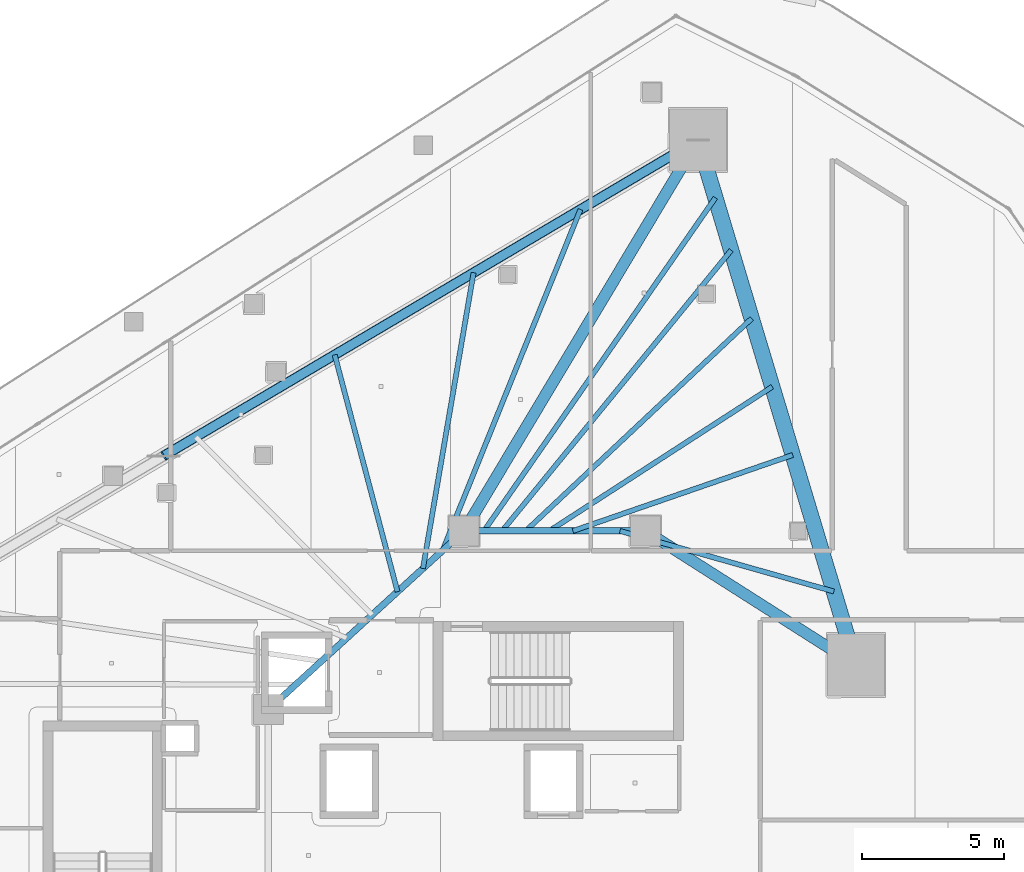
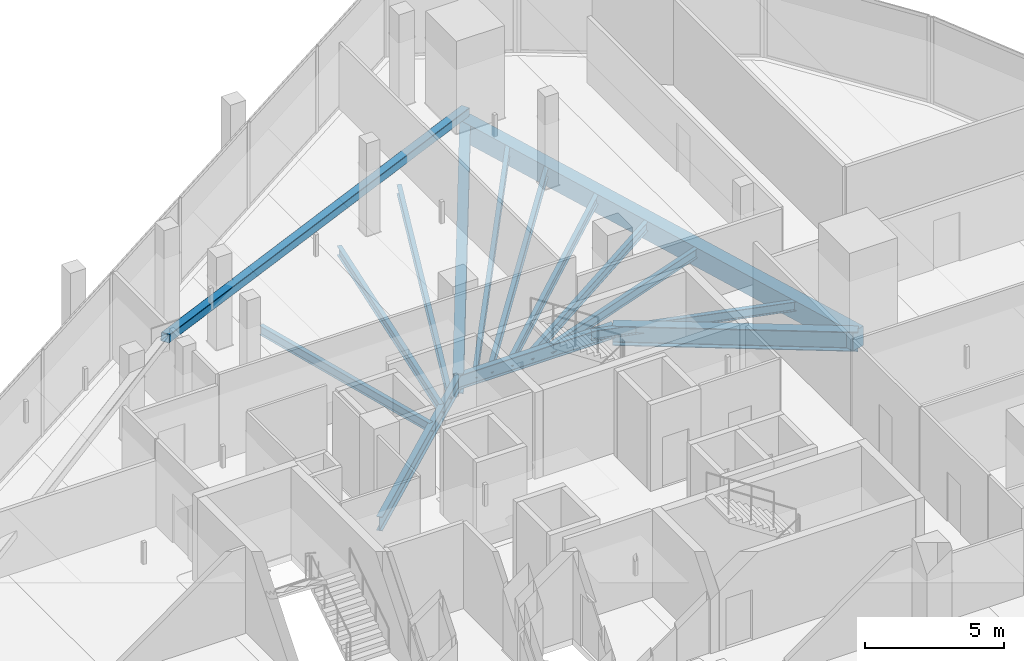
# One storey, part 23 of 43: 14 beams, 1 member.
"""IFC4 building model written with IfcOpenShell, lengths in metres."""

from ifc_helpers import new_model, si_unit, direction, frame, origin, origin_2d, place, context, subcontext, project, spatial, rectangle, hollow_rectangle, i_section, extrude, material, material_profile, profile_set, type_object, element, save


model = new_model("IFC4")

# Units and contexts
model_context = context("Model", 3, precision=1e-05, world=origin(), true_north=direction((0.0, 1.0)))
body_context = subcontext(model_context, "Body", "Model", "MODEL_VIEW")
ifc_project = project(units=[si_unit("LENGTHUNIT", "METRE"), si_unit("AREAUNIT", "SQUARE_METRE"), si_unit("VOLUMEUNIT", "CUBIC_METRE"), si_unit("PLANEANGLEUNIT", "RADIAN"), si_unit("MASSUNIT", "GRAM", prefix="KILO")], contexts=[model_context])

# Site, building, storey
site_placement = place(None, origin())
site = spatial("IfcSite", under=ifc_project, at=site_placement, CompositionType="ELEMENT")
building_placement = place(site_placement, origin())
building = spatial("IfcBuilding", under=site, at=building_placement, Name="Qorvath Tower", CompositionType="ELEMENT")
storey_placement = place(building_placement, frame((0.0, 0.0, 150.300048828125)))
storey = spatial("IfcBuildingStorey", under=building, at=storey_placement, Name="L34", CompositionType="ELEMENT", Elevation=150.300048828125)

# Beams
ifc_material_1 = material(Name="Steel ASTM A992 Grade 50", Category="steel")
ifc_material_profile_1 = material_profile(ifc_material_1, i_section(OverallWidth=0.39892578125, OverallDepth=0.85498046875, WebThickness=0.018310546875, FlangeThickness=0.029296875, FilletRadius=0.02001953125, at=origin_2d()), Name="W33x201")
ifc_profile_set_1 = profile_set([ifc_material_profile_1], Name="Steel ASTM A992 Grade 50")
beam_type_1 = type_object("IfcBeamType", Name="BM-FG2", PredefinedType="BEAM", material=ifc_profile_set_1)
beam_1_placement = place(storey_placement, frame((-23.60009765625, 11.449951171875, -0.697509765625), z_axis=(0.513497213955, 0.85809126045, 0.0), x_axis=(-0.85809126045, 0.513497213955, 0.0)))
element("IfcBeam", 1, at=beam_1_placement, inside=storey, type_object=beam_type_1, Name="Radial Floor Girder CC1-MC6 L34", PredefinedType="BEAM", context=body_context, shape_type="SweptSolid", body=[
    extrude(i_section(OverallWidth=0.39892578125, OverallDepth=0.85498046875, WebThickness=0.018310546875, FlangeThickness=0.029296875, FilletRadius=0.02001953125, at=origin_2d()), origin(), (0.0, 0.0, 1.0), 16.07763671875),
])
beam_2_placement = place(storey_placement, frame((-17.199951171875, 11.449951171875, -0.697509765625), z_axis=(0.843634090834, -0.536918542037, 0.0), x_axis=(0.536918542037, 0.843634090834, 0.0)))
element("IfcBeam", 2, at=beam_2_placement, inside=storey, type_object=beam_type_1, Name="Radial Floor Girder CC2-MC5 L34", PredefinedType="BEAM", context=body_context, shape_type="SweptSolid", body=[
    extrude(i_section(OverallWidth=0.39892578125, OverallDepth=0.85498046875, WebThickness=0.018310546875, FlangeThickness=0.029296875, FilletRadius=0.02001953125, at=origin_2d()), origin(), (0.0, 0.0, 1.0), 8.806884765625),
])
ifc_material_2 = material(Name="Steel ASTM A992 Grade 50", Category="steel")
ifc_material_profile_2 = material_profile(ifc_material_2, i_section(OverallWidth=0.22998046875, OverallDepth=0.616943359375, WebThickness=0.01318359375, FlangeThickness=0.022216796875, FilletRadius=0.014892578125, at=origin_2d()), Name="W24x94")
ifc_profile_set_2 = profile_set([ifc_material_profile_2], Name="Steel ASTM A992 Grade 50")
beam_type_2 = type_object("IfcBeamType", Name="BM-FG6", PredefinedType="BEAM", material=ifc_profile_set_2)
beam_3_placement = place(storey_placement, frame((-23.60009765625, 11.449951171875, -0.57861328125), z_axis=(1.0, 0.0, 0.0), x_axis=(0.0, 1.0, 0.0)))
element("IfcBeam", 3, at=beam_3_placement, inside=storey, type_object=beam_type_2, Name="Core Ring Girder CC1-CC2 L34", PredefinedType="BEAM", context=body_context, shape_type="SweptSolid", body=[
    extrude(i_section(OverallWidth=0.22998046875, OverallDepth=0.616943359375, WebThickness=0.01318359375, FlangeThickness=0.022216796875, FilletRadius=0.014892578125, at=origin_2d()), origin(), (0.0, 0.0, 1.0), 6.400146484375),
])
beam_4_placement = place(storey_placement, frame((-30.5, 5.14990234375, -0.57861328125), z_axis=(0.73847813985, 0.6742774184, 0.0), x_axis=(-0.6742774184, 0.73847813985, 0.0)))
element("IfcBeam", 4, at=beam_4_placement, inside=storey, type_object=beam_type_2, Name="Core Ring Girder CC5-CC1 L34", PredefinedType="BEAM", context=body_context, shape_type="SweptSolid", body=[
    extrude(i_section(OverallWidth=0.22998046875, OverallDepth=0.616943359375, WebThickness=0.01318359375, FlangeThickness=0.022216796875, FilletRadius=0.014892578125, at=origin_2d()), origin(), (0.0, 0.0, 1.0), 9.343505859375),
])
ifc_material_3 = material(Name="Steel ASTM A992 Grade 50", Category="steel")
ifc_material_profile_3 = material_profile(ifc_material_3, i_section(OverallWidth=0.177978515625, OverallDepth=0.406005859375, WebThickness=0.0078125, FlangeThickness=0.0126953125, FilletRadius=0.010986328125, at=origin_2d()), Name="W16x40")
ifc_profile_set_3 = profile_set([ifc_material_profile_3], Name="Steel ASTM A992 Grade 50")
beam_type_3 = type_object("IfcBeamType", Name="BM-FJ3", PredefinedType="JOIST", material=ifc_profile_set_3)
beam_5_placement = place(storey_placement, frame((-18.095947265625, 11.449951171875, -0.47314453125), z_axis=(0.962222206221, -0.272265359264, 0.0), x_axis=(0.272265359264, 0.962222206221, 0.0)))
element("IfcBeam", 5, at=beam_5_placement, inside=storey, type_object=beam_type_3, Name="Composite Floor Joist NE1 L34", PredefinedType="JOIST", context=body_context, shape_type="SweptSolid", body=[
    extrude(i_section(OverallWidth=0.177978515625, OverallDepth=0.406005859375, WebThickness=0.0078125, FlangeThickness=0.0126953125, FilletRadius=0.010986328125, at=origin_2d()), origin(), (0.0, 0.0, 1.0), 7.841552734375),
])
beam_6_placement = place(storey_placement, frame((-19.760009765625, 11.449951171875, -0.47314453125), z_axis=(0.945168345309, 0.326583525342, 0.0), x_axis=(-0.326583525342, 0.945168345309, 0.0)))
element("IfcBeam", 6, at=beam_6_placement, inside=storey, type_object=beam_type_3, Name="Composite Floor Joist NE3 L34", PredefinedType="JOIST", context=body_context, shape_type="SweptSolid", body=[
    extrude(i_section(OverallWidth=0.177978515625, OverallDepth=0.406005859375, WebThickness=0.0078125, FlangeThickness=0.0126953125, FilletRadius=0.010986328125, at=origin_2d()), origin(), (0.0, 0.0, 1.0), 8.21044921875),
])
beam_7_placement = place(storey_placement, frame((-20.592041015625, 11.449951171875, -0.47314453125), z_axis=(0.839630966809, 0.543157288062, 0.0), x_axis=(-0.543157288062, 0.839630966809, 0.0)))
element("IfcBeam", 7, at=beam_7_placement, inside=storey, type_object=beam_type_3, Name="Composite Floor Joist NE4 L34", PredefinedType="JOIST", context=body_context, shape_type="SweptSolid", body=[
    extrude(i_section(OverallWidth=0.177978515625, OverallDepth=0.406005859375, WebThickness=0.0078125, FlangeThickness=0.0126953125, FilletRadius=0.010986328125, at=origin_2d()), origin(), (0.0, 0.0, 1.0), 9.370361328125),
])
beam_8_placement = place(storey_placement, frame((-21.424072265625, 11.449951171875, -0.47314453125), z_axis=(0.728572459091, 0.684968737866, 0.0), x_axis=(-0.684968737866, 0.728572459091, 0.0)))
element("IfcBeam", 8, at=beam_8_placement, inside=storey, type_object=beam_type_3, Name="Composite Floor Joist NE5 L34", PredefinedType="JOIST", context=body_context, shape_type="SweptSolid", body=[
    extrude(i_section(OverallWidth=0.177978515625, OverallDepth=0.406005859375, WebThickness=0.0078125, FlangeThickness=0.0126953125, FilletRadius=0.010986328125, at=origin_2d()), origin(), (0.0, 0.0, 1.0), 10.9462890625),
])
beam_9_placement = place(storey_placement, frame((-22.256103515625, 11.449951171875, -0.47314453125), z_axis=(0.632187975212, 0.774815051478, 0.0), x_axis=(-0.774815051478, 0.632187975212, 0.0)))
element("IfcBeam", 9, at=beam_9_placement, inside=storey, type_object=beam_type_3, Name="Composite Floor Joist NE6 L34", PredefinedType="JOIST", context=body_context, shape_type="SweptSolid", body=[
    extrude(i_section(OverallWidth=0.177978515625, OverallDepth=0.406005859375, WebThickness=0.0078125, FlangeThickness=0.0126953125, FilletRadius=0.010986328125, at=origin_2d()), origin(), (0.0, 0.0, 1.0), 12.784912109375),
])
beam_10_placement = place(storey_placement, frame((-22.89599609375, 11.449951171875, -0.47314453125), z_axis=(0.570366725248, 0.821390162304, 0.0), x_axis=(-0.821390162304, 0.570366725248, 0.0)))
element("IfcBeam", 10, at=beam_10_placement, inside=storey, type_object=beam_type_3, Name="Composite Floor Joist NE7 L34", PredefinedType="JOIST", context=body_context, shape_type="SweptSolid", body=[
    extrude(i_section(OverallWidth=0.177978515625, OverallDepth=0.406005859375, WebThickness=0.0078125, FlangeThickness=0.0126953125, FilletRadius=0.010986328125, at=origin_2d()), origin(), (0.0, 0.0, 1.0), 14.3154296875),
])
beam_11_placement = place(storey_placement, frame((-25.946044921875, 9.30810546875, -0.47314453125), z_axis=(-0.256507909517, 0.966542131702, 0.0), x_axis=(-0.966542131702, -0.256507909517, 0.0)))
element("IfcBeam", 11, at=beam_11_placement, inside=storey, type_object=beam_type_3, Name="Composite Floor Joist NW5 L34", PredefinedType="JOIST", context=body_context, shape_type="SweptSolid", body=[
    extrude(i_section(OverallWidth=0.177978515625, OverallDepth=0.406005859375, WebThickness=0.0078125, FlangeThickness=0.0126953125, FilletRadius=0.010986328125, at=origin_2d()), origin(), (0.0, 0.0, 1.0), 8.64697265625),
])
beam_12_placement = place(storey_placement, frame((-25.049072265625, 10.126953125, -0.47314453125), z_axis=(0.168745594245, 0.985659639238, 0.0), x_axis=(-0.985659639238, 0.168745594245, 0.0)))
element("IfcBeam", 12, at=beam_12_placement, inside=storey, type_object=beam_type_3, Name="Composite Floor Joist NW6 L34", PredefinedType="JOIST", context=body_context, shape_type="SweptSolid", body=[
    extrude(i_section(OverallWidth=0.177978515625, OverallDepth=0.406005859375, WebThickness=0.0078125, FlangeThickness=0.0126953125, FilletRadius=0.010986328125, at=origin_2d()), origin(), (0.0, 0.0, 1.0), 10.589111328125),
])
beam_13_placement = place(storey_placement, frame((-24.35888671875, 10.757080078125, -0.47314453125), z_axis=(0.37487652097, 0.927074751045, 0.0), x_axis=(-0.927074751045, 0.37487652097, 0.0)))
element("IfcBeam", 13, at=beam_13_placement, inside=storey, type_object=beam_type_3, Name="Composite Floor Joist NW7 L34", PredefinedType="JOIST", context=body_context, shape_type="SweptSolid", body=[
    extrude(i_section(OverallWidth=0.177978515625, OverallDepth=0.406005859375, WebThickness=0.0078125, FlangeThickness=0.0126953125, FilletRadius=0.010986328125, at=origin_2d()), origin(), (0.0, 0.0, 1.0), 12.9833984375),
])
ifc_material_4 = material(Name="Concrete C50/60", Category="concrete")
ifc_material_profile_4 = material_profile(ifc_material_4, rectangle(XDim=0.550048828125, YDim=0.85009765625, at=origin_2d()), Name="RCB 850x550")
ifc_profile_set_4 = profile_set([ifc_material_profile_4], Name="Concrete C50/60")
beam_type_4 = type_object("IfcBeamType", Name="BM-RCB2", PredefinedType="SPANDREL", material=ifc_profile_set_4)
beam_14_placement = place(storey_placement, frame((-9.770263671875, 6.721435546875, -0.695068359375), z_axis=(-0.288133952099, 0.957590113591, 0.0), x_axis=(-0.957590113591, -0.288133952099, 0.0)))
element("IfcBeam", 14, at=beam_14_placement, inside=storey, type_object=beam_type_4, Name="Perimeter Loggia Frame Beam MC5-MC6 L34", PredefinedType="SPANDREL", context=body_context, shape_type="SweptSolid", body=[
    extrude(rectangle(XDim=0.550048828125, YDim=0.85009765625, at=origin_2d()), origin(), (0.0, 0.0, 1.0), 19.344970703125),
])

# Member
ifc_material_5 = material(Name="Steel ASTM A500 Grade C", Category="steel")
ifc_material_profile_5 = material_profile(ifc_material_5, hollow_rectangle(XDim=0.355712890625, YDim=0.355712890625, WallThickness=0.015869140625, InnerFilletRadius=0.015869140625, OuterFilletRadius=0.03173828125, at=origin_2d()), Name="HSS 356x356x16")
ifc_profile_set_5 = profile_set([ifc_material_profile_5], Name="Steel ASTM A500 Grade C")
member_type = type_object("IfcMemberType", Name="MEM-MB2", PredefinedType="BRACE", material=ifc_profile_set_5)
member_placement = place(storey_placement, frame((-15.34423828125, 25.24609375, 0.0), z_axis=(-0.850410115142, -0.502856465521, 0.154719136333), x_axis=(0.508985415689, -0.860775142889, 0.0)))
element("IfcMember", 15, at=member_placement, inside=storey, type_object=member_type, Name="Perimeter Chevron Brace L34-1A", PredefinedType="BRACE", context=body_context, shape_type="SweptSolid", body=[
    extrude(hollow_rectangle(XDim=0.355712890625, YDim=0.355712890625, WallThickness=0.015869140625, InnerFilletRadius=0.015869140625, OuterFilletRadius=0.03173828125, at=origin_2d()), origin(), (0.0, 0.0, 1.0), 22.168701171875),
])

save(model, "model.ifc")
